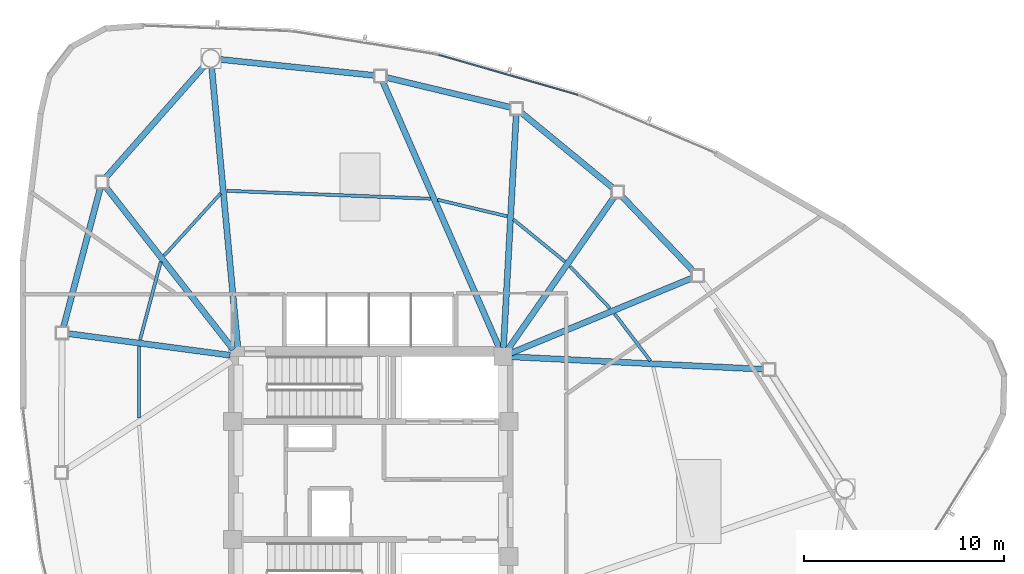
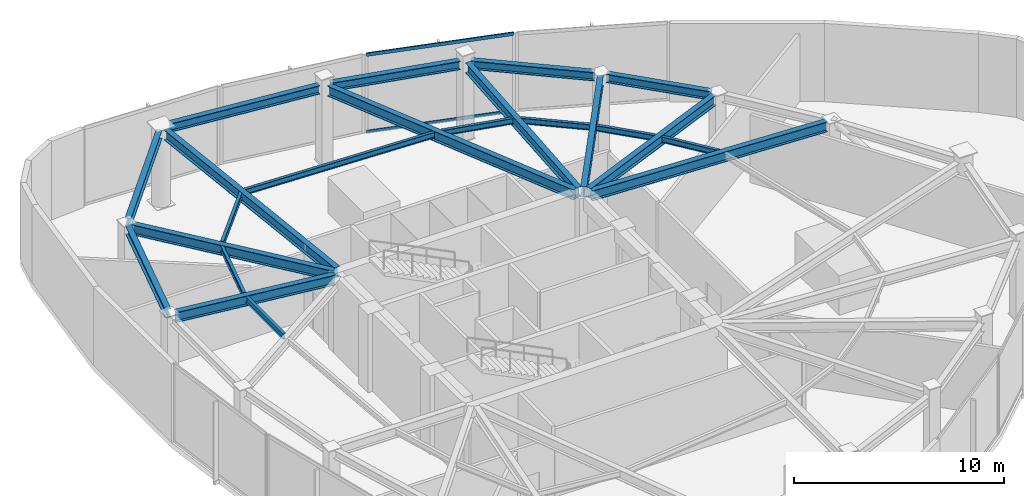
# One storey, part 7 of 17: 22 beams, 2 members, 1 element without a shape of its own.
"""IFC4 building model written with IfcOpenShell, lengths in metres."""

from ifc_helpers import new_model, si_unit, direction, frame, origin, origin_2d, place, context, subcontext, project, spatial, hollow_rectangle, i_section, extrude, source, transform, mapped, material, layer, layer_set, material_profile, profile_set, type_object, type_shapes, element, aggregate, save


model = new_model("IFC4")

# Units and contexts
model_context = context("Model", 3, precision=1e-05, world=origin(), true_north=direction((0.0, 1.0)))
body_context = subcontext(model_context, "Body", "Model", "MODEL_VIEW")
ifc_project = project(units=[si_unit("LENGTHUNIT", "METRE"), si_unit("AREAUNIT", "SQUARE_METRE"), si_unit("VOLUMEUNIT", "CUBIC_METRE"), si_unit("PLANEANGLEUNIT", "RADIAN"), si_unit("MASSUNIT", "GRAM", prefix="KILO")], contexts=[model_context])

# Site, building, storey
site_placement = place(None, origin())
site = spatial("IfcSite", under=ifc_project, at=site_placement, CompositionType="ELEMENT")
building_placement = place(site_placement, origin())
building = spatial("IfcBuilding", under=site, at=building_placement, Name="Tavelor Broadcast Tower", CompositionType="ELEMENT")
storey_placement = place(building_placement, frame((0.0, 0.0, 204.14990234375)))
storey = spatial("IfcBuildingStorey", under=building, at=storey_placement, Name="L49", CompositionType="ELEMENT", Elevation=204.14990234375)

# Beams
ifc_material_1 = material(Name="Steel S355", Category="steel")
ifc_material_profile_1 = material_profile(ifc_material_1, i_section(OverallWidth=0.159912109375, OverallDepth=0.330078125, WebThickness=0.007568359375, FlangeThickness=0.011474609375, at=origin_2d()), Name="IPE 330")
ifc_profile_set_1 = profile_set([ifc_material_profile_1], Name="Steel S355")
beam_type_1 = type_object("IfcBeamType", Name="Composite Floor Joist T4 IPE 330", PredefinedType="JOIST", material=ifc_profile_set_1)
beam_1_placement = place(storey_placement, frame((42.505615234375, 59.343505859375, 4.385009765625), z_axis=(-0.672852052716, -0.739777071256, 0.0), x_axis=(0.739777071256, -0.672852052716, 0.0)))
element("IfcBeam", 1, at=beam_1_placement, inside=storey, type_object=beam_type_1, Name="L49 Secondary Composite Floor Joist 01", PredefinedType="JOIST", context=body_context, shape_type="SweptSolid", body=[
    extrude(i_section(OverallWidth=0.159912109375, OverallDepth=0.330078125, WebThickness=0.007568359375, FlangeThickness=0.011474609375, at=origin_2d()), origin(), (0.0, 0.0, 1.0), 4.202392578125),
])
beam_2_placement = place(storey_placement, frame((39.509521484375, 55.92578125, 4.385009765625), z_axis=(-0.256963595852, -0.966421083383, 0.0), x_axis=(0.966421083383, -0.256963595852, 0.0)))
element("IfcBeam", 2, at=beam_2_placement, inside=storey, type_object=beam_type_1, Name="L49 Secondary Composite Floor Joist 02", PredefinedType="JOIST", context=body_context, shape_type="SweptSolid", body=[
    extrude(i_section(OverallWidth=0.159912109375, OverallDepth=0.330078125, WebThickness=0.007568359375, FlangeThickness=0.011474609375, at=origin_2d()), origin(), (0.0, 0.0, 1.0), 4.021728515625),
])
beam_3_placement = place(storey_placement, frame((38.428955078125, 51.68310546875, 4.385009765625), z_axis=(-0.002943579799, -0.99999566766, 0.0), x_axis=(0.99999566766, -0.002943579799, 0.0)))
element("IfcBeam", 3, at=beam_3_placement, inside=storey, type_object=beam_type_1, Name="L49 Secondary Composite Floor Joist 03", PredefinedType="JOIST", context=body_context, shape_type="SweptSolid", body=[
    extrude(i_section(OverallWidth=0.159912109375, OverallDepth=0.330078125, WebThickness=0.007568359375, FlangeThickness=0.011474609375, at=origin_2d()), origin(), (0.0, 0.0, 1.0), 3.56640625),
])
beam_4_placement = place(storey_placement, frame((63.959716796875, 50.9755859375, 4.385009765625), z_axis=(-0.604116162247, 0.796896268351, 0.0), x_axis=(-0.796896268351, -0.604116162247, 0.0)))
element("IfcBeam", 4, at=beam_4_placement, inside=storey, type_object=beam_type_1, Name="L49 Secondary Composite Floor Joist 14", PredefinedType="JOIST", context=body_context, shape_type="SweptSolid", body=[
    extrude(i_section(OverallWidth=0.159912109375, OverallDepth=0.330078125, WebThickness=0.007568359375, FlangeThickness=0.011474609375, at=origin_2d()), origin(), (0.0, 0.0, 1.0), 2.94580078125),
])
beam_5_placement = place(storey_placement, frame((61.946044921875, 53.59814453125, 4.385009765625), z_axis=(-0.689642531817, 0.724149969487, 0.0), x_axis=(-0.724149969487, -0.689642531817, 0.0)))
element("IfcBeam", 5, at=beam_5_placement, inside=storey, type_object=beam_type_1, Name="L49 Secondary Composite Floor Joist 15", PredefinedType="JOIST", context=body_context, shape_type="SweptSolid", body=[
    extrude(i_section(OverallWidth=0.159912109375, OverallDepth=0.330078125, WebThickness=0.007568359375, FlangeThickness=0.011474609375, at=origin_2d()), origin(), (0.0, 0.0, 1.0), 2.893798828125),
])
beam_6_placement = place(storey_placement, frame((59.685791015625, 55.939453125, 4.385009765625), z_axis=(-0.773655391446, 0.633606609251, 0.0), x_axis=(-0.633606609251, -0.773655391446, 0.0)))
element("IfcBeam", 6, at=beam_6_placement, inside=storey, type_object=beam_type_1, Name="L49 Secondary Composite Floor Joist 16", PredefinedType="JOIST", context=body_context, shape_type="SweptSolid", body=[
    extrude(i_section(OverallWidth=0.159912109375, OverallDepth=0.330078125, WebThickness=0.007568359375, FlangeThickness=0.011474609375, at=origin_2d()), origin(), (0.0, 0.0, 1.0), 3.315673828125),
])
beam_7_placement = place(storey_placement, frame((56.804443359375, 58.197021484375, 4.385009765625), z_axis=(-0.972674676245, 0.232172294196, 0.0), x_axis=(-0.232172294196, -0.972674676245, 0.0)))
element("IfcBeam", 7, at=beam_7_placement, inside=storey, type_object=beam_type_1, Name="L49 Secondary Composite Floor Joist 17", PredefinedType="JOIST", context=body_context, shape_type="SweptSolid", body=[
    extrude(i_section(OverallWidth=0.159912109375, OverallDepth=0.330078125, WebThickness=0.007568359375, FlangeThickness=0.011474609375, at=origin_2d()), origin(), (0.0, 0.0, 1.0), 3.56884765625),
])
beam_8_placement = place(storey_placement, frame((52.976318359375, 59.07470703125, 4.385009765625), z_axis=(-0.999243420365, 0.038891989637, 0.0), x_axis=(-0.038891989637, -0.999243420365, 0.0)))
element("IfcBeam", 8, at=beam_8_placement, inside=storey, type_object=beam_type_1, Name="L49 Secondary Composite Floor Joist 18", PredefinedType="JOIST", context=body_context, shape_type="SweptSolid", body=[
    extrude(i_section(OverallWidth=0.159912109375, OverallDepth=0.330078125, WebThickness=0.007568359375, FlangeThickness=0.011474609375, at=origin_2d()), origin(), (0.0, 0.0, 1.0), 10.17578125),
])
ifc_material_profile_2 = material_profile(ifc_material_1, i_section(OverallWidth=0.300048828125, OverallDepth=0.5, WebThickness=0.014404296875, FlangeThickness=0.028076171875, at=origin_2d()), Name="HEB 500")
ifc_profile_set_2 = profile_set([ifc_material_profile_2], Name="Steel S355")
beam_type_2 = type_object("IfcBeamType", Name="Perimeter Spandrel Beam T4 HEB 500", PredefinedType="SPANDREL", material=ifc_profile_set_2)
beam_9_placement = place(storey_placement, frame((41.720947265625, 65.7509765625, 4.300048828125), z_axis=(-0.661625943185, -0.749834055845, 0.0), x_axis=(0.749834055845, -0.661625943185, 0.0)))
element("IfcBeam", 9, at=beam_9_placement, inside=storey, type_object=beam_type_2, Name="L49 Framed-Tube Ring Spandrel 01", PredefinedType="SPANDREL", context=body_context, shape_type="SweptSolid", body=[
    extrude(i_section(OverallWidth=0.300048828125, OverallDepth=0.5, WebThickness=0.014404296875, FlangeThickness=0.028076171875, at=origin_2d()), origin(), (0.0, 0.0, 1.0), 7.500732421875),
])
beam_10_placement = place(storey_placement, frame((36.493896484375, 59.63232421875, 4.300048828125), z_axis=(-0.255762341211, -0.96673968824, 0.0), x_axis=(0.96673968824, -0.255762341211, 0.0)))
element("IfcBeam", 10, at=beam_10_placement, inside=storey, type_object=beam_type_2, Name="L49 Framed-Tube Ring Spandrel 02", PredefinedType="SPANDREL", context=body_context, shape_type="SweptSolid", body=[
    extrude(i_section(OverallWidth=0.300048828125, OverallDepth=0.5, WebThickness=0.014404296875, FlangeThickness=0.028076171875, at=origin_2d()), origin(), (0.0, 0.0, 1.0), 7.214599609375),
])
beam_11_placement = place(storey_placement, frame((66.123291015625, 55.437255859375, 4.300048828125), z_axis=(-0.689936010055, 0.723870362723, 0.0), x_axis=(-0.723870362723, -0.689936010055, 0.0)))
element("IfcBeam", 11, at=beam_11_placement, inside=storey, type_object=beam_type_2, Name="L49 Framed-Tube Ring Spandrel 15", PredefinedType="SPANDREL", context=body_context, shape_type="SweptSolid", body=[
    extrude(i_section(OverallWidth=0.300048828125, OverallDepth=0.5, WebThickness=0.014404296875, FlangeThickness=0.028076171875, at=origin_2d()), origin(), (0.0, 0.0, 1.0), 5.208740234375),
])
beam_12_placement = place(storey_placement, frame((62.1083984375, 59.59912109375, 4.300048828125), z_axis=(-0.772717651191, 0.634749896839, 0.0), x_axis=(-0.634749896839, -0.772717651191, 0.0)))
element("IfcBeam", 12, at=beam_12_placement, inside=storey, type_object=beam_type_2, Name="L49 Framed-Tube Ring Spandrel 16", PredefinedType="SPANDREL", context=body_context, shape_type="SweptSolid", body=[
    extrude(i_section(OverallWidth=0.300048828125, OverallDepth=0.5, WebThickness=0.014404296875, FlangeThickness=0.028076171875, at=origin_2d()), origin(), (0.0, 0.0, 1.0), 5.965087890625),
])
beam_13_placement = place(storey_placement, frame((56.99658203125, 63.635498046875, 4.300048828125), z_axis=(-0.972354853411, 0.233508113452, 0.0), x_axis=(-0.233508113452, -0.972354853411, 0.0)))
element("IfcBeam", 13, at=beam_13_placement, inside=storey, type_object=beam_type_2, Name="L49 Framed-Tube Ring Spandrel 17", PredefinedType="SPANDREL", context=body_context, shape_type="SweptSolid", body=[
    extrude(i_section(OverallWidth=0.300048828125, OverallDepth=0.5, WebThickness=0.014404296875, FlangeThickness=0.028076171875, at=origin_2d()), origin(), (0.0, 0.0, 1.0), 6.421630859375),
])
beam_14_placement = place(storey_placement, frame((50.18603515625, 65.23193359375, 4.300048828125), z_axis=(-0.99466284774, 0.103178579783, 0.0), x_axis=(-0.103178579783, -0.99466284774, 0.0)))
element("IfcBeam", 14, at=beam_14_placement, inside=storey, type_object=beam_type_2, Name="L49 Framed-Tube Ring Spandrel 18", PredefinedType="SPANDREL", context=body_context, shape_type="SweptSolid", body=[
    extrude(i_section(OverallWidth=0.300048828125, OverallDepth=0.5, WebThickness=0.014404296875, FlangeThickness=0.028076171875, at=origin_2d()), origin(), (0.0, 0.0, 1.0), 7.780029296875),
])
ifc_material_profile_3 = material_profile(ifc_material_1, i_section(OverallWidth=0.300048828125, OverallDepth=0.590087890625, WebThickness=0.012939453125, FlangeThickness=0.02490234375, at=origin_2d()), Name="HEA 600")
ifc_profile_set_3 = profile_set([ifc_material_profile_3], Name="Steel S355")
beam_type_3 = type_object("IfcBeamType", Name="Radial Floor Girder T4 HEA 600", PredefinedType="BEAM", material=ifc_profile_set_3)
beam_15_placement = place(storey_placement, frame((43.35986328125, 51.630126953125, 4.255126953125), z_axis=(-0.092926929372, 0.995672931136, 0.0), x_axis=(-0.995672931136, -0.092926929372, 0.0)))
element("IfcBeam", 15, at=beam_15_placement, inside=storey, type_object=beam_type_3, Name="L49 Radial Primary Floor Girder 01", PredefinedType="BEAM", context=body_context, shape_type="SweptSolid", body=[
    extrude(i_section(OverallWidth=0.300048828125, OverallDepth=0.590087890625, WebThickness=0.012939453125, FlangeThickness=0.02490234375, at=origin_2d()), origin(), (0.0, 0.0, 1.0), 14.073974609375),
])
beam_16_placement = place(storey_placement, frame((43.13330078125, 51.539794921875, 4.255126953125), z_axis=(-0.617155684101, 0.786841065007, 0.0), x_axis=(-0.786841065007, -0.617155684101, 0.0)))
element("IfcBeam", 16, at=beam_16_placement, inside=storey, type_object=beam_type_3, Name="L49 Radial Primary Floor Girder 02", PredefinedType="BEAM", context=body_context, shape_type="SweptSolid", body=[
    extrude(i_section(OverallWidth=0.300048828125, OverallDepth=0.590087890625, WebThickness=0.012939453125, FlangeThickness=0.02490234375, at=origin_2d()), origin(), (0.0, 0.0, 1.0), 10.3505859375),
])
beam_17_placement = place(storey_placement, frame((42.9716796875, 51.257080078125, 4.255126953125), z_axis=(-0.991183810809, 0.132493974169, 0.0), x_axis=(-0.132493974169, -0.991183810809, 0.0)))
element("IfcBeam", 17, at=beam_17_placement, inside=storey, type_object=beam_type_3, Name="L49 Radial Primary Floor Girder 03", PredefinedType="BEAM", context=body_context, shape_type="SweptSolid", body=[
    extrude(i_section(OverallWidth=0.300048828125, OverallDepth=0.590087890625, WebThickness=0.012939453125, FlangeThickness=0.02490234375, at=origin_2d()), origin(), (0.0, 0.0, 1.0), 8.183349609375),
])
beam_18_placement = place(storey_placement, frame((57.031494140625, 51.1787109375, 4.255126953125), z_axis=(0.998783784198, -0.049304689662, 0.0), x_axis=(0.049304689662, 0.998783784198, 0.0)))
element("IfcBeam", 18, at=beam_18_placement, inside=storey, type_object=beam_type_3, Name="L49 Radial Primary Floor Girder 14", PredefinedType="BEAM", context=body_context, shape_type="SweptSolid", body=[
    extrude(i_section(OverallWidth=0.300048828125, OverallDepth=0.590087890625, WebThickness=0.012939453125, FlangeThickness=0.02490234375, at=origin_2d()), origin(), (0.0, 0.0, 1.0), 12.582275390625),
])
beam_19_placement = place(storey_placement, frame((56.9990234375, 51.365478515625, 4.255126953125), z_axis=(0.923827405628, 0.38280925356, 0.0), x_axis=(-0.38280925356, 0.923827405628, 0.0)))
element("IfcBeam", 19, at=beam_19_placement, inside=storey, type_object=beam_type_3, Name="L49 Radial Primary Floor Girder 15", PredefinedType="BEAM", context=body_context, shape_type="SweptSolid", body=[
    extrude(i_section(OverallWidth=0.300048828125, OverallDepth=0.590087890625, WebThickness=0.012939453125, FlangeThickness=0.02490234375, at=origin_2d()), origin(), (0.0, 0.0, 1.0), 9.8037109375),
])
beam_20_placement = place(storey_placement, frame((56.84716796875, 51.55419921875, 4.255126953125), z_axis=(0.572078083908, 0.820199162346, 0.0), x_axis=(-0.820199162346, 0.572078083908, 0.0)))
element("IfcBeam", 20, at=beam_20_placement, inside=storey, type_object=beam_type_3, Name="L49 Radial Primary Floor Girder 16", PredefinedType="BEAM", context=body_context, shape_type="SweptSolid", body=[
    extrude(i_section(OverallWidth=0.300048828125, OverallDepth=0.590087890625, WebThickness=0.012939453125, FlangeThickness=0.02490234375, at=origin_2d()), origin(), (0.0, 0.0, 1.0), 9.29736328125),
])
beam_21_placement = place(storey_placement, frame((56.62353515625, 51.63134765625, 4.255126953125), z_axis=(0.054637852805, 0.998506236856, 0.0), x_axis=(-0.998506236856, 0.054637852805, 0.0)))
element("IfcBeam", 21, at=beam_21_placement, inside=storey, type_object=beam_type_3, Name="L49 Radial Primary Floor Girder 17", PredefinedType="BEAM", context=body_context, shape_type="SweptSolid", body=[
    extrude(i_section(OverallWidth=0.300048828125, OverallDepth=0.590087890625, WebThickness=0.012939453125, FlangeThickness=0.02490234375, at=origin_2d()), origin(), (0.0, 0.0, 1.0), 11.666748046875),
])
beam_22_placement = place(storey_placement, frame((56.4267578125, 51.595703125, 4.255126953125), z_axis=(-0.4008997337, 0.916121937036, 0.0), x_axis=(-0.916121937036, -0.4008997337, 0.0)))
element("IfcBeam", 22, at=beam_22_placement, inside=storey, type_object=beam_type_3, Name="L49 Radial Primary Floor Girder 18", PredefinedType="BEAM", context=body_context, shape_type="SweptSolid", body=[
    extrude(i_section(OverallWidth=0.300048828125, OverallDepth=0.590087890625, WebThickness=0.012939453125, FlangeThickness=0.02490234375, at=origin_2d()), origin(), (0.0, 0.0, 1.0), 14.564453125),
])

# Curtain wall, members
ifc_material_2 = material(Name="Architectural Anodized Aluminium", Category="aluminium")
ifc_layer = layer(ifc_material_2, 0.18994140625)
ifc_layer_set = layer_set([ifc_layer], Name="Architectural Anodized Aluminium")
curtain_wall_type = type_object("IfcCurtainWallType", Name="Tower Mid-Zone Acoustic Curtain Wall CW03", PredefinedType="NOTDEFINED", material=ifc_layer_set)
curtain_wall_placement = place(storey_placement, origin())
curtain_wall = element("IfcCurtainWall", 23, at=curtain_wall_placement, inside=storey, type_object=curtain_wall_type, Name="L49 Curtain Wall CW03 Run 538", PredefinedType="NOTDEFINED")
ifc_material_profile_4 = material_profile(ifc_material_2, hollow_rectangle(XDim=0.068115234375, YDim=0.18994140625, WallThickness=0.02197265625, at=origin_2d()), Name="RHS 68x190x22")
ifc_profile_set_4 = profile_set([ifc_material_profile_4], Name="Architectural Anodized Aluminium")
member_type = type_object("IfcMemberType", Name="CW03 Extruded Aluminium Transom 68x190", PredefinedType="USERDEFINED", material=ifc_profile_set_4)
shared_shape = source(origin(), body_context, "Body", "SweptSolid", [
    extrude(hollow_rectangle(XDim=0.068115234375, YDim=0.18994140625, WallThickness=0.02197265625, at=origin_2d()), origin(), (0.0, 0.0, 1.0), 7.2197265625),
])
type_shapes(member_type, [shared_shape])
member_1_placement = place(storey_placement, frame((60.3330078125, 64.261474609375, 0.0341796875), z_axis=(-0.961137632658, 0.276069648982, 0.0), x_axis=(-0.276069648982, -0.961137632658, 0.0)))
member_1 = element("IfcMember", 24, at=member_1_placement, type_object=member_type, Name="CW03 transom 1.1", ObjectType="TRANSOM", PredefinedType="USERDEFINED", context=body_context, shape_type="MappedRepresentation", body=[
    mapped(shared_shape, transform((0.0, 0.0, 0.0), scale=1.0)),
])
member_2_placement = place(storey_placement, frame((60.3330078125, 64.261474609375, 4.51611328125), z_axis=(-0.961137632658, 0.276069648982, 0.0), x_axis=(-0.276069648982, -0.961137632658, 0.0)))
member_2 = element("IfcMember", 25, at=member_2_placement, type_object=member_type, Name="CW03 transom 1.2", ObjectType="TRANSOM", PredefinedType="USERDEFINED", context=body_context, shape_type="MappedRepresentation", body=[
    mapped(shared_shape, transform((0.0, 0.0, 0.0), scale=1.0)),
])
aggregate(curtain_wall, [member_1, member_2])

save(model, "model.ifc")
